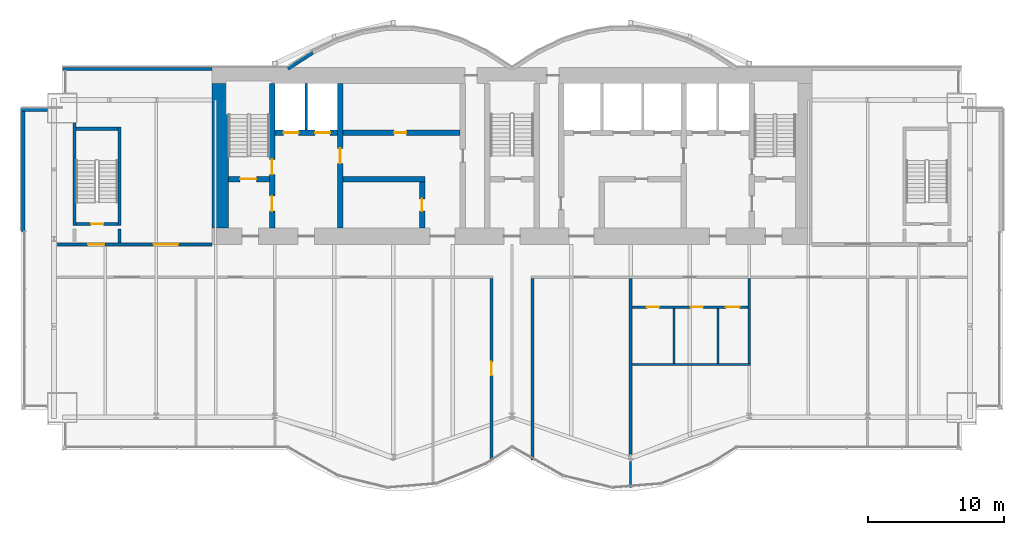
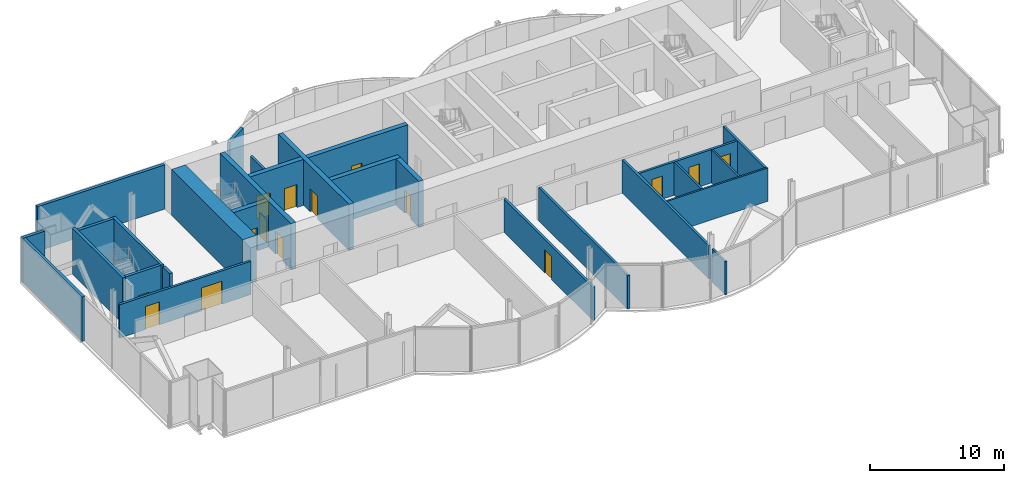
# One storey, part 13 of 19: 27 walls, 15 doors, 15 openings.
"""IFC4 building model written with IfcOpenShell, lengths in metres."""

from ifc_helpers import new_model, si_unit, direction, frame, frame_2d, origin, place, context, subcontext, project, spatial, rectangle, extrude, material, layer, layer_set, layer_usage, type_object, element, fill, save


model = new_model("IFC4")

# Units and contexts
model_context = context("Model", 3, precision=1e-05, world=origin(), true_north=direction((0.0, 1.0)))
body_context = subcontext(model_context, "Body", "Model", "MODEL_VIEW")
ifc_project = project(units=[si_unit("LENGTHUNIT", "METRE"), si_unit("AREAUNIT", "SQUARE_METRE"), si_unit("VOLUMEUNIT", "CUBIC_METRE"), si_unit("PLANEANGLEUNIT", "RADIAN"), si_unit("MASSUNIT", "GRAM", prefix="KILO")], contexts=[model_context])

# Site, building, storey
site_placement = place(None, origin())
site = spatial("IfcSite", under=ifc_project, at=site_placement, CompositionType="ELEMENT")
building_placement = place(site_placement, origin())
building = spatial("IfcBuilding", under=site, at=building_placement, Name="Bicima Exchange Tower", CompositionType="ELEMENT")
storey_placement = place(building_placement, frame((0.0, 0.0, 279.199951171875)))
storey = spatial("IfcBuildingStorey", under=building, at=storey_placement, Name="L63", CompositionType="ELEMENT", Elevation=279.199951171875)

# Wall
ifc_material_1 = material(Name="Gypsum board partition")
ifc_layer_1 = layer(ifc_material_1, 0.199951171875)
ifc_layer_set_1 = layer_set([ifc_layer_1], Name="Gypsum board partition")
wall_type_1 = type_object("IfcWallType", Name="Fire-rated gypsum partition 200 EI120", PredefinedType="PARTITIONING", material=ifc_layer_set_1)
wall_1_placement = place(storey_placement, frame((-15.10009765625, -4.60009765625, 0.0), z_axis=(0.0, 0.0, 1.0), x_axis=(0.0, 1.0, 0.0)))
element("IfcWall", 1, at=wall_1_placement, inside=storey, type_object=wall_type_1, Name="partition wall 9", PredefinedType="PARTITIONING", context=body_context, shape_type="SweptSolid", body=[
    extrude(rectangle(XDim=3.400146484375, YDim=0.199951171875, at=frame_2d((1.7001953125, 0.0))), origin(), (0.0, 0.0, 1.0), 3.03955078125),
])

# Wall, openings, doors
ifc_layer_2 = layer(ifc_material_1, 0.199951171875)
ifc_layer_set_2 = layer_set([ifc_layer_2], Name="Gypsum board partition")
wall_type_2 = type_object("IfcWallType", Name="Fire-rated gypsum partition 200 EI60", PredefinedType="PARTITIONING", material=ifc_layer_set_2)
wall_2_placement = place(storey_placement, frame((8.800048828125, -17.60009765625, 0.0), z_axis=(0.0, 0.0, 1.0), x_axis=(1.0, 0.0, 0.0)))
wall_2 = element("IfcWall", 2, at=wall_2_placement, inside=storey, type_object=wall_type_2, Name="partition wall 2", PredefinedType="PARTITIONING", context=body_context, shape_type="SweptSolid", body=[
    extrude(rectangle(XDim=8.5, YDim=0.199951171875, at=frame_2d((4.25, 0.0))), origin(), (0.0, 0.0, 1.0), 3.03955078125),
])
opening_1_placement = place(wall_2_placement, frame((1.10009765625, 0.0, 0.0)))
opening_1 = element("IfcOpeningElement", 3, at=opening_1_placement, cuts=wall_2, Name="Opening L63-013", PredefinedType="OPENING", context=body_context, shape_type="SweptSolid", body=[
    extrude(rectangle(XDim=0.89990234375, YDim=2.10009765625, at=frame_2d((0.449951171875, 1.050048828125))), frame((0.0, 0.11181640625, 0.0), z_axis=(0.0, -1.0, 0.0), x_axis=(1.0, 0.0, 0.0)), (0.0, 0.0, 1.0), 0.223876953125),
])
opening_2_placement = place(wall_2_placement, frame((4.300048828125, 0.0, 0.0)))
opening_2 = element("IfcOpeningElement", 4, at=opening_2_placement, cuts=wall_2, Name="Opening L63-014", PredefinedType="OPENING", context=body_context, shape_type="SweptSolid", body=[
    extrude(rectangle(XDim=0.89990234375, YDim=2.10009765625, at=frame_2d((0.449951171875, 1.050048828125))), frame((0.0, 0.11181640625, 0.0), z_axis=(0.0, -1.0, 0.0), x_axis=(1.0, 0.0, 0.0)), (0.0, 0.0, 1.0), 0.223876953125),
])
opening_3_placement = place(wall_2_placement, frame((6.89990234375, 0.0, 0.0)))
opening_3 = element("IfcOpeningElement", 5, at=opening_3_placement, cuts=wall_2, Name="Opening L63-015", PredefinedType="OPENING", context=body_context, shape_type="SweptSolid", body=[
    extrude(rectangle(XDim=1.0, YDim=2.10009765625, at=frame_2d((0.5, 1.050048828125))), frame((0.0, 0.11181640625, 0.0), z_axis=(0.0, -1.0, 0.0), x_axis=(1.0, 0.0, 0.0)), (0.0, 0.0, 1.0), 0.223876953125),
])
ifc_material_2 = material(Name="Steel fire door leaf", Category="steel")
door_type_1 = type_object("IfcDoorType", Name="Door 1000 swing FD30S", OperationType="SINGLE_SWING_LEFT", PredefinedType="DOOR", material=ifc_material_2)
door_1_placement = place(opening_3_placement, frame((1.0, 0.0, 0.0), z_axis=(0.0, 0.0, 1.0), x_axis=(-1.0, 0.0, 0.0)))
door_1 = element("IfcDoor", 6, at=door_1_placement, inside=storey, type_object=door_type_1, Name="Door", OperationType="SINGLE_SWING_RIGHT", OverallHeight=2.10009765625, OverallWidth=1.0, PredefinedType="DOOR", context=body_context, shape_type="SweptSolid", body=[
    extrude(rectangle(XDim=1.0, YDim=2.10009765625, at=frame_2d((0.5, 1.050048828125))), frame((0.0, 0.02490234375, 0.0), z_axis=(0.0, -1.0, 0.0), x_axis=(1.0, 0.0, 0.0)), (0.0, 0.0, 1.0), 0.050048828125),
])
fill(opening_3, door_1)
door_type_2 = type_object("IfcDoorType", Name="Door 900 swing FD30S", OperationType="SINGLE_SWING_LEFT", PredefinedType="DOOR", material=ifc_material_2)
door_2_placement = place(opening_1_placement, frame((0.89990234375, 0.0, 0.0), z_axis=(0.0, 0.0, 1.0), x_axis=(-1.0, 0.0, 0.0)))
door_2 = element("IfcDoor", 7, at=door_2_placement, inside=storey, type_object=door_type_2, Name="Door", OperationType="SINGLE_SWING_LEFT", OverallHeight=2.10009765625, OverallWidth=0.89990234375, PredefinedType="DOOR", context=body_context, shape_type="SweptSolid", body=[
    extrude(rectangle(XDim=0.89990234375, YDim=2.10009765625, at=frame_2d((0.449951171875, 1.050048828125))), frame((0.0, 0.02490234375, 0.0), z_axis=(0.0, -1.0, 0.0), x_axis=(1.0, 0.0, 0.0)), (0.0, 0.0, 1.0), 0.050048828125),
])
fill(opening_1, door_2)
door_3_placement = place(opening_2_placement, frame((0.89990234375, 0.0, 0.0), z_axis=(0.0, 0.0, 1.0), x_axis=(-1.0, 0.0, 0.0)))
door_3 = element("IfcDoor", 8, at=door_3_placement, inside=storey, type_object=door_type_2, Name="Door", OperationType="SINGLE_SWING_RIGHT", OverallHeight=2.10009765625, OverallWidth=0.89990234375, PredefinedType="DOOR", context=body_context, shape_type="SweptSolid", body=[
    extrude(rectangle(XDim=0.89990234375, YDim=2.10009765625, at=frame_2d((0.449951171875, 1.050048828125))), frame((0.0, 0.02490234375, 0.0), z_axis=(0.0, -1.0, 0.0), x_axis=(1.0, 0.0, 0.0)), (0.0, 0.0, 1.0), 0.050048828125),
])
fill(opening_2, door_3)

wall_3_placement = place(storey_placement, frame((-33.340087890625, -13.0, 0.0), z_axis=(0.0, 0.0, 1.0), x_axis=(1.0, 0.0, 0.0)))
wall_3 = element("IfcWall", 9, at=wall_3_placement, inside=storey, type_object=wall_type_2, Name="partition wall 5", PredefinedType="PARTITIONING", context=body_context, shape_type="SweptSolid", body=[
    extrude(rectangle(XDim=11.340087890625, YDim=0.199951171875, at=frame_2d((5.669921875, 0.0))), origin(), (0.0, 0.0, 1.0), 3.03955078125),
])
opening_4_placement = place(wall_3_placement, frame((2.239990234375, 0.0, 0.0)))
opening_4 = element("IfcOpeningElement", 10, at=opening_4_placement, cuts=wall_3, Name="Opening L63-001", PredefinedType="OPENING", context=body_context, shape_type="SweptSolid", body=[
    extrude(rectangle(XDim=1.199951171875, YDim=2.10009765625, at=frame_2d((0.60009765625, 1.050048828125))), frame((0.0, 0.11181640625, 0.0), z_axis=(0.0, -1.0, 0.0), x_axis=(1.0, 0.0, 0.0)), (0.0, 0.0, 1.0), 0.223876953125),
])
opening_5_placement = place(wall_3_placement, frame((7.0400390625, 0.0, 0.0)))
opening_5 = element("IfcOpeningElement", 11, at=opening_5_placement, cuts=wall_3, Name="Opening L63-005", PredefinedType="OPENING", context=body_context, shape_type="SweptSolid", body=[
    extrude(rectangle(XDim=1.800048828125, YDim=2.10009765625, at=frame_2d((0.89990234375, 1.050048828125))), frame((0.0, 0.11181640625, 0.0), z_axis=(0.0, -1.0, 0.0), x_axis=(1.0, 0.0, 0.0)), (0.0, 0.0, 1.0), 0.223876953125),
])
door_type_3 = type_object("IfcDoorType", Name="Door 1200 swing FD30S", OperationType="SINGLE_SWING_LEFT", PredefinedType="DOOR", material=ifc_material_2)
door_4_placement = place(opening_4_placement, origin())
door_4 = element("IfcDoor", 12, at=door_4_placement, inside=storey, type_object=door_type_3, Name="Door", OperationType="SINGLE_SWING_LEFT", OverallHeight=2.10009765625, OverallWidth=1.199951171875, PredefinedType="DOOR", context=body_context, shape_type="SweptSolid", body=[
    extrude(rectangle(XDim=1.199951171875, YDim=2.10009765625, at=frame_2d((0.60009765625, 1.050048828125))), frame((0.0, 0.02490234375, 0.0), z_axis=(0.0, -1.0, 0.0), x_axis=(1.0, 0.0, 0.0)), (0.0, 0.0, 1.0), 0.050048828125),
])
fill(opening_4, door_4)
door_type_4 = type_object("IfcDoorType", Name="Door 1800 double swing FD30S", OperationType="DOUBLE_DOOR_SINGLE_SWING", PredefinedType="DOOR", material=ifc_material_2)
door_5_placement = place(opening_5_placement, origin())
door_5 = element("IfcDoor", 13, at=door_5_placement, inside=storey, type_object=door_type_4, Name="Door", OperationType="SINGLE_SWING_LEFT", OverallHeight=2.10009765625, OverallWidth=1.800048828125, PredefinedType="DOOR", context=body_context, shape_type="SweptSolid", body=[
    extrude(rectangle(XDim=1.800048828125, YDim=2.10009765625, at=frame_2d((0.89990234375, 1.050048828125))), frame((0.0, 0.02490234375, 0.0), z_axis=(0.0, -1.0, 0.0), x_axis=(1.0, 0.0, 0.0)), (0.0, 0.0, 1.0), 0.050048828125),
])
fill(opening_5, door_5)

# Wall, opening, door
wall_4_placement = place(storey_placement, frame((-1.5, -28.81005859375, 0.0), z_axis=(0.0, 0.0, 1.0), x_axis=(0.0, 1.0, 0.0)))
wall_4 = element("IfcWall", 14, at=wall_4_placement, inside=storey, type_object=wall_type_2, Name="partition wall 17", PredefinedType="PARTITIONING", context=body_context, shape_type="SweptSolid", body=[
    extrude(rectangle(XDim=13.31005859375, YDim=0.199951171875, at=frame_2d((6.655029296875, 0.0))), origin(), (0.0, 0.0, 1.0), 3.03955078125),
])
opening_6_placement = place(wall_4_placement, frame((6.199951171875, 0.0, 0.0)))
opening_6 = element("IfcOpeningElement", 15, at=opening_6_placement, cuts=wall_4, Name="Opening L63-010", PredefinedType="OPENING", context=body_context, shape_type="SweptSolid", body=[
    extrude(rectangle(XDim=1.0, YDim=2.10009765625, at=frame_2d((0.5, 1.050048828125))), frame((0.0, 0.11181640625, 0.0), z_axis=(0.0, -1.0, 0.0), x_axis=(1.0, 0.0, 0.0)), (0.0, 0.0, 1.0), 0.223876953125),
])
door_6_placement = place(opening_6_placement, origin())
door_6 = element("IfcDoor", 16, at=door_6_placement, inside=storey, type_object=door_type_1, Name="Door", OperationType="SINGLE_SWING_LEFT", OverallHeight=2.10009765625, OverallWidth=1.0, PredefinedType="DOOR", context=body_context, shape_type="SweptSolid", body=[
    extrude(rectangle(XDim=1.0, YDim=2.10009765625, at=frame_2d((0.5, 1.050048828125))), frame((0.0, 0.02490234375, 0.0), z_axis=(0.0, -1.0, 0.0), x_axis=(1.0, 0.0, 0.0)), (0.0, 0.0, 1.0), 0.050048828125),
])
fill(opening_6, door_6)

# Walls
wall_5_placement = place(storey_placement, frame((1.5, -28.81005859375, 0.0), z_axis=(0.0, 0.0, 1.0), x_axis=(0.0, 1.0, 0.0)))
element("IfcWall", 17, at=wall_5_placement, inside=storey, type_object=wall_type_2, Name="partition wall 18", PredefinedType="PARTITIONING", context=body_context, shape_type="SweptSolid", body=[
    extrude(rectangle(XDim=13.31005859375, YDim=0.199951171875, at=frame_2d((6.655029296875, 0.0))), origin(), (0.0, 0.0, 1.0), 3.03955078125),
])
wall_6_placement = place(storey_placement, frame((8.699951171875, -28.439208984375, 0.0), z_axis=(0.0, 0.0, 1.0), x_axis=(0.0, 1.0, 0.0)))
element("IfcWall", 18, at=wall_6_placement, inside=storey, type_object=wall_type_2, Name="partition wall 20", PredefinedType="PARTITIONING", context=body_context, shape_type="SweptSolid", body=[
    extrude(rectangle(XDim=12.939208984375, YDim=0.199951171875, at=frame_2d((6.4697265625, 0.0))), origin(), (0.0, 0.0, 1.0), 3.03955078125),
])
wall_7_placement = place(storey_placement, frame((17.39990234375, -21.72509765625, 0.0), z_axis=(0.0, 0.0, 1.0), x_axis=(0.0, 1.0, 0.0)))
element("IfcWall", 19, at=wall_7_placement, inside=storey, type_object=wall_type_2, Name="partition wall 23", PredefinedType="PARTITIONING", context=body_context, shape_type="SweptSolid", body=[
    extrude(rectangle(XDim=6.22509765625, YDim=0.199951171875, at=frame_2d((3.112548828125, 0.0))), origin(), (0.0, 0.0, 1.0), 3.03955078125),
])
ifc_layer_3 = layer(ifc_material_1, 0.14990234375)
ifc_layer_set_3 = layer_set([ifc_layer_3], Name="Gypsum board partition")
wall_type_3 = type_object("IfcWallType", Name="Gypsum partition 150", PredefinedType="PARTITIONING", material=ifc_layer_set_3)
wall_8_placement = place(storey_placement, frame((8.800048828125, -21.800048828125, 0.0), z_axis=(0.0, 0.0, 1.0), x_axis=(1.0, 0.0, 0.0)))
element("IfcWall", 20, at=wall_8_placement, inside=storey, type_object=wall_type_3, Name="partition wall 1", PredefinedType="PARTITIONING", context=body_context, shape_type="SweptSolid", body=[
    extrude(rectangle(XDim=8.699951171875, YDim=0.14990234375, at=frame_2d((4.35009765625, 0.0))), origin(), (0.0, 0.0, 1.0), 3.03955078125),
])
wall_9_placement = place(storey_placement, frame((8.699951171875, -30.85009765625, 0.0), z_axis=(0.0, 0.0, 1.0), x_axis=(0.0, 1.0, 0.0)))
element("IfcWall", 21, at=wall_9_placement, inside=storey, type_object=wall_type_3, Name="partition wall 19", PredefinedType="PARTITIONING", context=body_context, shape_type="SweptSolid", body=[
    extrude(rectangle(XDim=1.923095703125, YDim=0.14990234375, at=frame_2d((0.96142578125, 0.0))), origin(), (0.0, 0.0, 1.0), 3.03955078125),
])
for number, where, z_axis, x_axis, name in (
    (22, (11.89990234375, -21.72509765625, 0.0), (0.0, 0.0, 1.0), (0.0, 1.0, 0.0), "partition wall 21"),
    (23, (15.10009765625, -21.72509765625, 0.0), (0.0, 0.0, 1.0), (0.0, 1.0, 0.0), "partition wall 22"),
):
    element("IfcWall", number, at=place(storey_placement, frame(where, z_axis=z_axis, x_axis=x_axis)), inside=storey, type_object=wall_type_3, Name=name, PredefinedType="PARTITIONING", context=body_context, shape_type="SweptSolid", body=[
        extrude(rectangle(XDim=4.025146484375, YDim=0.14990234375, at=frame_2d((2.0126953125, 0.0))), origin(), (0.0, 0.0, 1.0), 3.03955078125),
    ])
ifc_material_3 = material(Name="Concrete C40/50", Category="concrete")
ifc_layer_4 = layer(ifc_material_3, 1.199951171875)
ifc_layer_set_4 = layer_set([ifc_layer_4], Name="Concrete C40/50")
wall_type_4 = type_object("IfcWallType", Name="RC core wall 1200 C40/50", PredefinedType="SHEAR", material=ifc_layer_set_4)
wall_10_placement = place(storey_placement, frame((-21.39990234375, -11.800048828125, 0.0), z_axis=(0.0, 0.0, 1.0), x_axis=(0.0, 1.0, 0.0)))
element("IfcWall", 24, at=wall_10_placement, inside=storey, type_object=wall_type_4, Name="Core wall west", PredefinedType="SHEAR", context=body_context, shape_type="SweptSolid", body=[
    extrude(rectangle(XDim=10.60009765625, YDim=1.199951171875, at=frame_2d((5.300048828125, 0.0))), origin(), (0.0, 0.0, 1.0), 4.199951171875),
])
ifc_material_4 = material(Name="Concrete C50/60", Category="concrete")
ifc_layer_5 = layer(ifc_material_4, 0.25)
ifc_layer_set_5 = layer_set([ifc_layer_5], Name="Concrete C50/60")
wall_type_5 = type_object("IfcWallType", Name="RC core wall 250 C50/60", PredefinedType="SHEAR", material=ifc_layer_set_5)
wall_11_placement = place(storey_placement, frame((-28.800048828125, -12.89990234375, 0.0), z_axis=(0.0, 0.0, 1.0), x_axis=(0.0, 1.0, 0.0)))
element("IfcWall", 25, at=wall_11_placement, inside=storey, type_object=wall_type_5, Name="stair wall 12", PredefinedType="SHEAR", context=body_context, shape_type="SweptSolid", body=[
    extrude(rectangle(XDim=1.0498046875, YDim=0.25, at=frame_2d((0.52490234375, 0.0))), origin(), (0.0, 0.0, 1.0), 4.199951171875),
])
ifc_layer_6 = layer(ifc_material_3, 0.39990234375)
ifc_layer_set_6 = layer_set([ifc_layer_6], Name="Concrete C40/50")
wall_type_6 = type_object("IfcWallType", Name="RC core wall 400 C40/50", PredefinedType="SHEAR", material=ifc_layer_set_6)
wall_12_placement = place(storey_placement, frame((-12.39990234375, -8.199951171875, 0.0), z_axis=(0.0, 0.0, 1.0), x_axis=(1.0, 0.0, 0.0)))
element("IfcWall", 26, at=wall_12_placement, inside=storey, type_object=wall_type_6, Name="shear wall 2", PredefinedType="SHEAR", context=body_context, shape_type="SweptSolid", body=[
    extrude(rectangle(XDim=6.0, YDim=0.39990234375, at=frame_2d((3.0, 0.0))), origin(), (0.0, 0.0, 1.0), 4.199951171875),
])

# Wall, openings, doors
wall_13_placement = place(storey_placement, frame((-17.39990234375, -4.800048828125, 0.0), z_axis=(0.0, 0.0, 1.0), x_axis=(1.0, 0.0, 0.0)))
wall_13 = element("IfcWall", 27, at=wall_13_placement, inside=storey, type_object=wall_type_6, Name="shear wall 6", PredefinedType="SHEAR", context=body_context, shape_type="SweptSolid", body=[
    extrude(rectangle(XDim=13.599853515625, YDim=0.39990234375, at=frame_2d((6.7998046875, 0.0))), origin(), (0.0, 0.0, 1.0), 4.199951171875),
])
opening_7_placement = place(wall_13_placement, frame((0.64990234375, 0.0, 0.0)))
opening_7 = element("IfcOpeningElement", 28, at=opening_7_placement, cuts=wall_13, Name="Opening LD-FF1-L63", PredefinedType="OPENING", context=body_context, shape_type="SweptSolid", body=[
    extrude(rectangle(XDim=1.10009765625, YDim=2.10009765625, at=frame_2d((0.550048828125, 1.050048828125))), frame((0.0, 0.2119140625, 0.0), z_axis=(0.0, -1.0, 0.0), x_axis=(1.0, 0.0, 0.0)), (0.0, 0.0, 1.0), 0.423828125),
])
opening_8_placement = place(wall_13_placement, frame((2.949951171875, 0.0, 0.0)))
opening_8 = element("IfcOpeningElement", 29, at=opening_8_placement, cuts=wall_13, Name="Opening LD-FF3-L63", PredefinedType="OPENING", context=body_context, shape_type="SweptSolid", body=[
    extrude(rectangle(XDim=1.10009765625, YDim=2.10009765625, at=frame_2d((0.550048828125, 1.050048828125))), frame((0.0, 0.2119140625, 0.0), z_axis=(0.0, -1.0, 0.0), x_axis=(1.0, 0.0, 0.0)), (0.0, 0.0, 1.0), 0.423828125),
])
opening_9_placement = place(wall_13_placement, frame((8.75, 0.0, 0.0)))
opening_9 = element("IfcOpeningElement", 30, at=opening_9_placement, cuts=wall_13, Name="Opening L63-C12", PredefinedType="OPENING", context=body_context, shape_type="SweptSolid", body=[
    extrude(rectangle(XDim=0.89990234375, YDim=2.10009765625, at=frame_2d((0.449951171875, 1.050048828125))), frame((0.0, 0.2119140625, 0.0), z_axis=(0.0, -1.0, 0.0), x_axis=(1.0, 0.0, 0.0)), (0.0, 0.0, 1.0), 0.423828125),
])
door_7_placement = place(opening_9_placement, origin())
door_7 = element("IfcDoor", 31, at=door_7_placement, inside=storey, type_object=door_type_2, Name="Core door", OperationType="SINGLE_SWING_RIGHT", OverallHeight=2.10009765625, OverallWidth=0.89990234375, PredefinedType="DOOR", context=body_context, shape_type="SweptSolid", body=[
    extrude(rectangle(XDim=0.89990234375, YDim=2.10009765625, at=frame_2d((0.449951171875, 1.050048828125))), frame((0.0, 0.02490234375, 0.0), z_axis=(0.0, -1.0, 0.0), x_axis=(1.0, 0.0, 0.0)), (0.0, 0.0, 1.0), 0.050048828125),
])
fill(opening_9, door_7)
ifc_material_5 = material(Name="Stainless steel", Category="steel")
door_type_5 = type_object("IfcDoorType", Name="Lift landing door 1100 sliding", OperationType="DOUBLE_DOOR_SLIDING", PredefinedType="DOOR", material=ifc_material_5)
door_8_placement = place(opening_7_placement, origin())
door_8 = element("IfcDoor", 32, at=door_8_placement, inside=storey, type_object=door_type_5, Name="Lift landing door FF1", OperationType="DOUBLE_DOOR_SLIDING", OverallHeight=2.10009765625, OverallWidth=1.10009765625, PredefinedType="DOOR", context=body_context, shape_type="SweptSolid", body=[
    extrude(rectangle(XDim=1.10009765625, YDim=2.10009765625, at=frame_2d((0.550048828125, 1.050048828125))), frame((0.0, 0.02490234375, 0.0), z_axis=(0.0, -1.0, 0.0), x_axis=(1.0, 0.0, 0.0)), (0.0, 0.0, 1.0), 0.050048828125),
])
fill(opening_7, door_8)
door_9_placement = place(opening_8_placement, origin())
door_9 = element("IfcDoor", 33, at=door_9_placement, inside=storey, type_object=door_type_5, Name="Lift landing door FF3", OperationType="DOUBLE_DOOR_SLIDING", OverallHeight=2.10009765625, OverallWidth=1.10009765625, PredefinedType="DOOR", context=body_context, shape_type="SweptSolid", body=[
    extrude(rectangle(XDim=1.10009765625, YDim=2.10009765625, at=frame_2d((0.550048828125, 1.050048828125))), frame((0.0, 0.02490234375, 0.0), z_axis=(0.0, -1.0, 0.0), x_axis=(1.0, 0.0, 0.0)), (0.0, 0.0, 1.0), 0.050048828125),
])
fill(opening_8, door_9)

# Wall, opening, door
wall_14_placement = place(storey_placement, frame((-12.60009765625, -11.800048828125, 0.0), z_axis=(0.0, 0.0, 1.0), x_axis=(0.0, 1.0, 0.0)))
wall_14 = element("IfcWall", 34, at=wall_14_placement, inside=storey, type_object=wall_type_6, Name="shear wall 10", PredefinedType="SHEAR", context=body_context, shape_type="SweptSolid", body=[
    extrude(rectangle(XDim=10.60009765625, YDim=0.39990234375, at=frame_2d((5.300048828125, 0.0))), origin(), (0.0, 0.0, 1.0), 4.199951171875),
])
opening_10_placement = place(wall_14_placement, frame((4.75, 0.0, 0.0)))
opening_10 = element("IfcOpeningElement", 35, at=opening_10_placement, cuts=wall_14, Name="Opening L63-C07", PredefinedType="OPENING", context=body_context, shape_type="SweptSolid", body=[
    extrude(rectangle(XDim=1.10009765625, YDim=2.10009765625, at=frame_2d((0.550048828125, 1.050048828125))), frame((0.0, 0.2119140625, 0.0), z_axis=(0.0, -1.0, 0.0), x_axis=(1.0, 0.0, 0.0)), (0.0, 0.0, 1.0), 0.423828125),
])
door_type_6 = type_object("IfcDoorType", Name="Door 1100 swing FD60S", OperationType="SINGLE_SWING_LEFT", PredefinedType="DOOR", material=ifc_material_2)
door_10_placement = place(opening_10_placement, origin())
door_10 = element("IfcDoor", 36, at=door_10_placement, inside=storey, type_object=door_type_6, Name="Core door", OperationType="SINGLE_SWING_LEFT", OverallHeight=2.10009765625, OverallWidth=1.10009765625, PredefinedType="DOOR", context=body_context, shape_type="SweptSolid", body=[
    extrude(rectangle(XDim=1.10009765625, YDim=2.10009765625, at=frame_2d((0.550048828125, 1.050048828125))), frame((0.0, 0.02490234375, 0.0), z_axis=(0.0, -1.0, 0.0), x_axis=(1.0, 0.0, 0.0)), (0.0, 0.0, 1.0), 0.050048828125),
])
fill(opening_10, door_10)

wall_15_placement = place(storey_placement, frame((-6.60009765625, -11.800048828125, 0.0), z_axis=(0.0, 0.0, 1.0), x_axis=(0.0, 1.0, 0.0)))
wall_15 = element("IfcWall", 37, at=wall_15_placement, inside=storey, type_object=wall_type_6, Name="shear wall 11", PredefinedType="SHEAR", context=body_context, shape_type="SweptSolid", body=[
    extrude(rectangle(XDim=3.400146484375, YDim=0.39990234375, at=frame_2d((1.7001953125, 0.0))), origin(), (0.0, 0.0, 1.0), 4.199951171875),
])
opening_11_placement = place(wall_15_placement, frame((1.25, 0.0, 0.0)))
opening_11 = element("IfcOpeningElement", 38, at=opening_11_placement, cuts=wall_15, Name="Opening L63-C13", PredefinedType="OPENING", context=body_context, shape_type="SweptSolid", body=[
    extrude(rectangle(XDim=0.89990234375, YDim=2.10009765625, at=frame_2d((0.449951171875, 1.050048828125))), frame((0.0, 0.2119140625, 0.0), z_axis=(0.0, -1.0, 0.0), x_axis=(1.0, 0.0, 0.0)), (0.0, 0.0, 1.0), 0.423828125),
])
door_11_placement = place(opening_11_placement, origin())
door_11 = element("IfcDoor", 39, at=door_11_placement, inside=storey, type_object=door_type_2, Name="Core door", OperationType="SINGLE_SWING_LEFT", OverallHeight=2.10009765625, OverallWidth=0.89990234375, PredefinedType="DOOR", context=body_context, shape_type="SweptSolid", body=[
    extrude(rectangle(XDim=0.89990234375, YDim=2.10009765625, at=frame_2d((0.449951171875, 1.050048828125))), frame((0.0, 0.02490234375, 0.0), z_axis=(0.0, -1.0, 0.0), x_axis=(1.0, 0.0, 0.0)), (0.0, 0.0, 1.0), 0.050048828125),
])
fill(opening_11, door_11)

ifc_layer_7 = layer(ifc_material_4, 0.39990234375)
ifc_layer_set_7 = layer_set([ifc_layer_7], Name="Concrete C50/60")
wall_type_7 = type_object("IfcWallType", Name="RC core wall 400 C50/60", PredefinedType="SHEAR", material=ifc_layer_set_7)
wall_16_placement = place(storey_placement, frame((-20.800048828125, -8.199951171875, 0.0), z_axis=(0.0, 0.0, 1.0), x_axis=(1.0, 0.0, 0.0)))
wall_16 = element("IfcWall", 40, at=wall_16_placement, inside=storey, type_object=wall_type_7, Name="stair wall 1", PredefinedType="SHEAR", context=body_context, shape_type="SweptSolid", body=[
    extrude(rectangle(XDim=3.0, YDim=0.39990234375, at=frame_2d((1.5, 0.0))), origin(), (0.0, 0.0, 1.0), 4.199951171875),
])
opening_12_placement = place(wall_16_placement, frame((0.85009765625, 0.0, 0.0)))
opening_12 = element("IfcOpeningElement", 41, at=opening_12_placement, cuts=wall_16, Name="Opening L63-C01", PredefinedType="OPENING", context=body_context, shape_type="SweptSolid", body=[
    extrude(rectangle(XDim=1.199951171875, YDim=2.10009765625, at=frame_2d((0.60009765625, 1.050048828125))), frame((0.0, 0.2119140625, 0.0), z_axis=(0.0, -1.0, 0.0), x_axis=(1.0, 0.0, 0.0)), (0.0, 0.0, 1.0), 0.423828125),
])
door_type_7 = type_object("IfcDoorType", Name="Door 1200 swing FD60S", OperationType="SINGLE_SWING_LEFT", PredefinedType="DOOR", material=ifc_material_2)
door_12_placement = place(opening_12_placement, origin())
door_12 = element("IfcDoor", 42, at=door_12_placement, inside=storey, type_object=door_type_7, Name="Core door", OperationType="SINGLE_SWING_LEFT", OverallHeight=2.10009765625, OverallWidth=1.199951171875, PredefinedType="DOOR", context=body_context, shape_type="SweptSolid", body=[
    extrude(rectangle(XDim=1.199951171875, YDim=2.10009765625, at=frame_2d((0.60009765625, 1.050048828125))), frame((0.0, 0.02490234375, 0.0), z_axis=(0.0, -1.0, 0.0), x_axis=(1.0, 0.0, 0.0)), (0.0, 0.0, 1.0), 0.050048828125),
])
fill(opening_12, door_12)

# Wall, openings, doors
wall_17_placement = place(storey_placement, frame((-17.60009765625, -11.800048828125, 0.0), z_axis=(0.0, 0.0, 1.0), x_axis=(0.0, 1.0, 0.0)))
wall_17 = element("IfcWall", 43, at=wall_17_placement, inside=storey, type_object=wall_type_7, Name="stair wall 8", PredefinedType="SHEAR", context=body_context, shape_type="SweptSolid", body=[
    extrude(rectangle(XDim=10.60009765625, YDim=0.39990234375, at=frame_2d((5.300048828125, 0.0))), origin(), (0.0, 0.0, 1.0), 4.199951171875),
])
opening_13_placement = place(wall_17_placement, frame((1.25, 0.0, 0.0)))
opening_13 = element("IfcOpeningElement", 44, at=opening_13_placement, cuts=wall_17, Name="Opening L63-C02", PredefinedType="OPENING", context=body_context, shape_type="SweptSolid", body=[
    extrude(rectangle(XDim=1.10009765625, YDim=2.10009765625, at=frame_2d((0.550048828125, 1.050048828125))), frame((0.0, 0.2119140625, 0.0), z_axis=(0.0, -1.0, 0.0), x_axis=(1.0, 0.0, 0.0)), (0.0, 0.0, 1.0), 0.423828125),
])
opening_14_placement = place(wall_17_placement, frame((3.949951171875, 0.0, 0.0)))
opening_14 = element("IfcOpeningElement", 45, at=opening_14_placement, cuts=wall_17, Name="Opening L63-C06", PredefinedType="OPENING", context=body_context, shape_type="SweptSolid", body=[
    extrude(rectangle(XDim=1.10009765625, YDim=2.10009765625, at=frame_2d((0.550048828125, 1.050048828125))), frame((0.0, 0.2119140625, 0.0), z_axis=(0.0, -1.0, 0.0), x_axis=(1.0, 0.0, 0.0)), (0.0, 0.0, 1.0), 0.423828125),
])
door_13_placement = place(opening_13_placement, frame((1.10009765625, 0.0, 0.0), z_axis=(0.0, 0.0, 1.0), x_axis=(-1.0, 0.0, 0.0)))
door_13 = element("IfcDoor", 46, at=door_13_placement, inside=storey, type_object=door_type_6, Name="Core door", OperationType="SINGLE_SWING_LEFT", OverallHeight=2.10009765625, OverallWidth=1.10009765625, PredefinedType="DOOR", context=body_context, shape_type="SweptSolid", body=[
    extrude(rectangle(XDim=1.10009765625, YDim=2.10009765625, at=frame_2d((0.550048828125, 1.050048828125))), frame((0.0, 0.02490234375, 0.0), z_axis=(0.0, -1.0, 0.0), x_axis=(1.0, 0.0, 0.0)), (0.0, 0.0, 1.0), 0.050048828125),
])
fill(opening_13, door_13)
door_14_placement = place(opening_14_placement, frame((1.10009765625, 0.0, 0.0), z_axis=(0.0, 0.0, 1.0), x_axis=(-1.0, 0.0, 0.0)))
door_14 = element("IfcDoor", 47, at=door_14_placement, inside=storey, type_object=door_type_6, Name="Core door", OperationType="SINGLE_SWING_LEFT", OverallHeight=2.10009765625, OverallWidth=1.10009765625, PredefinedType="DOOR", context=body_context, shape_type="SweptSolid", body=[
    extrude(rectangle(XDim=1.10009765625, YDim=2.10009765625, at=frame_2d((0.550048828125, 1.050048828125))), frame((0.0, 0.02490234375, 0.0), z_axis=(0.0, -1.0, 0.0), x_axis=(1.0, 0.0, 0.0)), (0.0, 0.0, 1.0), 0.050048828125),
])
fill(opening_14, door_14)

# Walls
ifc_layer_8 = layer(ifc_material_4, 0.25)
ifc_layer_set_8 = layer_set([ifc_layer_8], Name="Concrete C50/60")
wall_type_8 = type_object("IfcWallType", Name="RC stair enclosure wall 250 C50/60", PredefinedType="SHEAR", material=ifc_layer_set_8)
wall_18_placement = place(storey_placement, frame((-32.10009765625, -11.625, 0.0), z_axis=(0.0, 0.0, 1.0), x_axis=(0.0, 1.0, 0.0)))
element("IfcWall", 48, at=wall_18_placement, inside=storey, type_object=wall_type_8, Name="West end exit stair wall W", PredefinedType="SHEAR", context=body_context, shape_type="SweptSolid", body=[
    extrude(rectangle(XDim=7.52490234375, YDim=0.25, at=frame_2d((3.762451171875, 0.0))), origin(), (0.0, 0.0, 1.0), 4.199951171875),
])
wall_19_placement = place(storey_placement, frame((-28.800048828125, -11.625, 0.0), z_axis=(0.0, 0.0, 1.0), x_axis=(0.0, 1.0, 0.0)))
element("IfcWall", 49, at=wall_19_placement, inside=storey, type_object=wall_type_8, Name="West end exit stair wall E", PredefinedType="SHEAR", context=body_context, shape_type="SweptSolid", body=[
    extrude(rectangle(XDim=7.25, YDim=0.25, at=frame_2d((3.625, 0.0))), origin(), (0.0, 0.0, 1.0), 4.199951171875),
])

# Wall, opening, door
wall_20_placement = place(storey_placement, frame((-31.97509765625, -11.5, 0.0), z_axis=(0.0, 0.0, 1.0), x_axis=(1.0, 0.0, 0.0)))
wall_20 = element("IfcWall", 50, at=wall_20_placement, inside=storey, type_object=wall_type_8, Name="West end exit stair wall S", PredefinedType="SHEAR", context=body_context, shape_type="SweptSolid", body=[
    extrude(rectangle(XDim=3.050048828125, YDim=0.25, at=frame_2d((1.52490234375, 0.0))), origin(), (0.0, 0.0, 1.0), 4.199951171875),
])
opening_15_placement = place(wall_20_placement, frame((1.10009765625, 0.0, 0.0)))
opening_15 = element("IfcOpeningElement", 51, at=opening_15_placement, cuts=wall_20, Name="Opening L63-002", PredefinedType="OPENING", context=body_context, shape_type="SweptSolid", body=[
    extrude(rectangle(XDim=0.89990234375, YDim=2.10009765625, at=frame_2d((0.449951171875, 1.050048828125))), frame((0.0, 0.136962890625, 0.0), z_axis=(0.0, -1.0, 0.0), x_axis=(1.0, 0.0, 0.0)), (0.0, 0.0, 1.0), 0.27392578125),
])
door_type_8 = type_object("IfcDoorType", Name="Door 900 swing FD60S", OperationType="SINGLE_SWING_LEFT", PredefinedType="DOOR", material=ifc_material_2)
door_15_placement = place(opening_15_placement, origin())
door_15 = element("IfcDoor", 52, at=door_15_placement, inside=storey, type_object=door_type_8, Name="Door", OperationType="SINGLE_SWING_LEFT", OverallHeight=2.10009765625, OverallWidth=0.89990234375, PredefinedType="DOOR", context=body_context, shape_type="SweptSolid", body=[
    extrude(rectangle(XDim=0.89990234375, YDim=2.10009765625, at=frame_2d((0.449951171875, 1.050048828125))), frame((0.0, 0.02490234375, 0.0), z_axis=(0.0, -1.0, 0.0), x_axis=(1.0, 0.0, 0.0)), (0.0, 0.0, 1.0), 0.050048828125),
])
fill(opening_15, door_15)

# Walls
wall_21_placement = place(storey_placement, frame((-31.97509765625, -4.5, 0.0), z_axis=(0.0, 0.0, 1.0), x_axis=(1.0, 0.0, 0.0)))
element("IfcWall", 53, at=wall_21_placement, inside=storey, type_object=wall_type_8, Name="West end exit stair wall N", PredefinedType="SHEAR", context=body_context, shape_type="SweptSolid", body=[
    extrude(rectangle(XDim=3.050048828125, YDim=0.25, at=frame_2d((1.52490234375, 0.0))), origin(), (0.0, 0.0, 1.0), 4.199951171875),
])
ifc_layer_9 = layer(ifc_material_3, 0.25)
ifc_layer_set_9 = layer_set([ifc_layer_9], Name="Concrete C40/50")
ifc_layer_usage = layer_usage(ifc_layer_set_9, "AXIS2", "POSITIVE", -0.125)
wall_type_9 = type_object("IfcWallType", Name="Rear backup wall 250", PredefinedType="STANDARD", material=ifc_layer_set_9)
wall_22_placement = place(storey_placement, frame((-14.598876953125, 1.080078125, 0.0), z_axis=(0.0, 0.0, 1.0), x_axis=(-0.83981312244, -0.542875602121, 0.0)))
element("IfcWall", 54, at=wall_22_placement, inside=storey, type_object=wall_type_9, material=ifc_layer_usage, Name="Rear backup wall L63 19", PredefinedType="STANDARD", context=body_context, shape_type="SweptSolid", body=[
    extrude(rectangle(XDim=2.182861328125, YDim=0.25, at=frame_2d((1.09130859375, 0.0))), origin(), (0.0, 0.0, 1.0), 4.050048828125),
])
wall_23_placement = place(storey_placement, frame((-22.0, -0.125, 0.0), z_axis=(0.0, 0.0, 1.0), x_axis=(-1.0, 0.0, 0.0)))
element("IfcWall", 55, at=wall_23_placement, inside=storey, type_object=wall_type_9, material=ifc_layer_usage, Name="Rear backup wall L63 20", PredefinedType="STANDARD", context=body_context, shape_type="SweptSolid", body=[
    extrude(rectangle(XDim=11.0, YDim=0.25, at=frame_2d((5.5, 0.0))), origin(), (0.0, 0.0, 1.0), 4.050048828125),
])
wall_24_placement = place(storey_placement, frame((-34.10009765625, -3.125, 0.0), z_axis=(0.0, 0.0, 1.0), x_axis=(-1.0, 0.0, 0.0)))
element("IfcWall", 56, at=wall_24_placement, inside=storey, type_object=wall_type_9, material=ifc_layer_usage, Name="Rear backup wall L63 22", PredefinedType="STANDARD", context=body_context, shape_type="SweptSolid", body=[
    extrude(rectangle(XDim=1.89990234375, YDim=0.25, at=frame_2d((0.949951171875, 0.0))), origin(), (0.0, 0.0, 1.0), 4.050048828125),
])
wall_25_placement = place(storey_placement, frame((-35.875, -3.0, 0.0), z_axis=(0.0, 0.0, 1.0), x_axis=(0.0, -1.0, 0.0)))
element("IfcWall", 57, at=wall_25_placement, inside=storey, type_object=wall_type_9, material=ifc_layer_usage, Name="Rear backup wall L63 23", PredefinedType="STANDARD", context=body_context, shape_type="SweptSolid", body=[
    extrude(rectangle(XDim=9.090087890625, YDim=0.25, at=frame_2d((4.544921875, 0.0))), origin(), (0.0, 0.0, 1.0), 4.050048828125),
])

save(model, "model.ifc")
